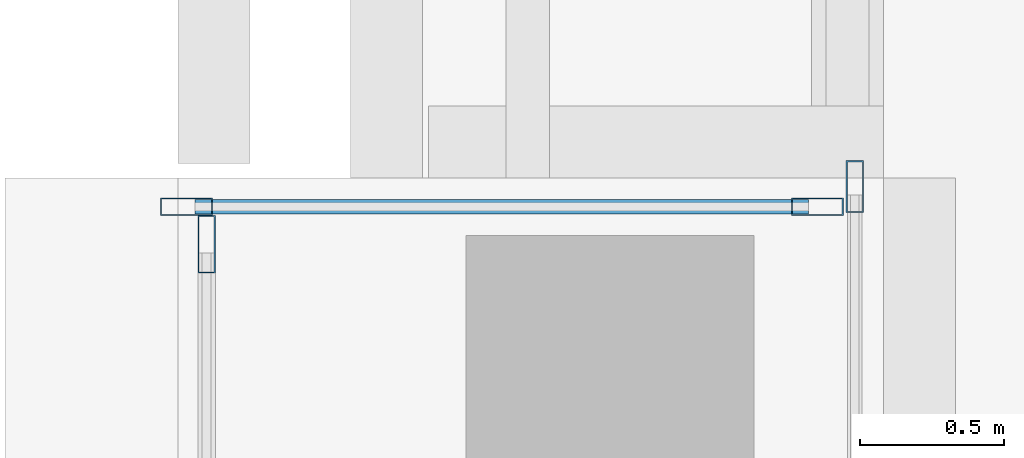
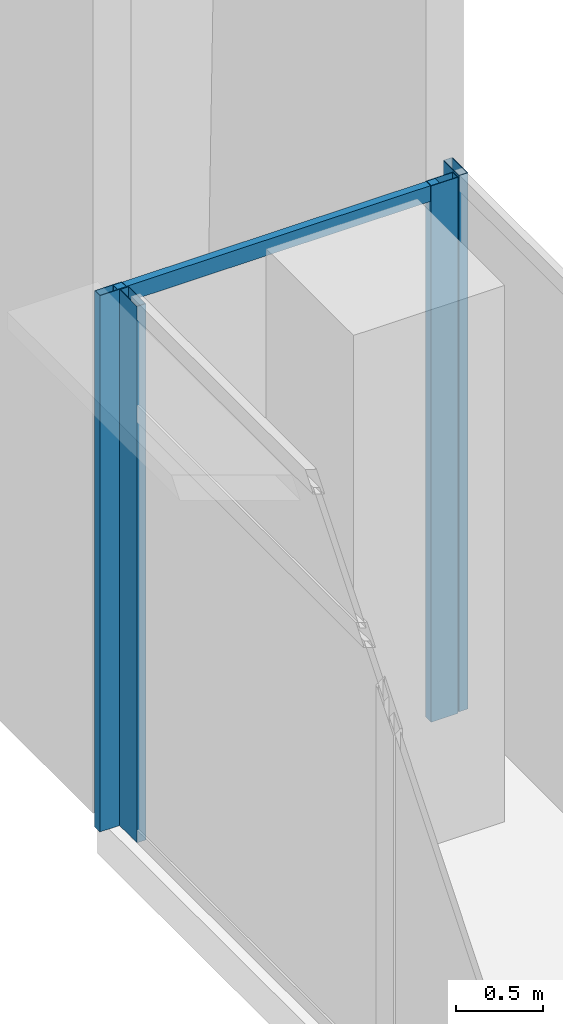
# One storey, part 26 of 43: 5 members, 3 elements without a shape of their own.
"""IFC4 building model written with IfcOpenShell, lengths in metres."""

import ifcopenshell
import ifcopenshell.guid

model = None  # the IFC model being written
_history = None  # IfcOwnerHistory: only IFC2X3 demands one
_inside = {}  # id of a spatial element -> (the spatial element, [elements in it])
_under = {}  # id of a project, library or spatial element -> (it, [spatial elements below it])
_declared = {}  # id of a project -> (the project, [libraries it declares])
_typed = {}  # id of a type object -> (the type object, [elements of that type])
_made_of = {}  # id of a material, layer set ... -> (it, [elements and type objects made of it])


def new_model(schema):
    """Start an empty IFC model of exactly this schema.

    Asked for "IFC4X3", IfcOpenShell would pick the latest addendum, in which some entities
    have other attributes; the version numbers below select the first issue.
    IFC2X3 requires an IfcOwnerHistory on every rooted entity: one is made here for all.
    """
    global model, _history
    if schema == "IFC4X3":
        model = ifcopenshell.file(schema_version=(4, 3, 0, 0))
    else:
        model = ifcopenshell.file(schema=schema)
    _inside.clear()
    _under.clear()
    _declared.clear()
    _typed.clear()
    _made_of.clear()
    _history = None
    if model.schema == "IFC2X3":
        org = make("IfcOrganization", Name="unknown")
        user = make(
            "IfcPersonAndOrganization",
            ThePerson=make("IfcPerson", FamilyName="unknown"),
            TheOrganization=org,
        )
        app = make(
            "IfcApplication",
            ApplicationDeveloper=org,
            Version="unknown",
            ApplicationFullName="unknown",
            ApplicationIdentifier="unknown",
        )
        _history = make(
            "IfcOwnerHistory",
            OwningUser=user,
            OwningApplication=app,
            ChangeAction="ADDED",
            CreationDate=0,
        )
    return model


def make(cls, **values):
    """One entity of the class cls with the attributes given. An attribute that is None is left unset."""
    return model.create_entity(
        cls, **{name: value for name, value in values.items() if value is not None}
    )


def rooted(cls, **values):
    """An entity with a GlobalId (a new one), such as an element, a storey or a relation."""
    return make(cls, GlobalId=ifcopenshell.guid.new(), OwnerHistory=_history, **values)


def si_unit(unit_type, name, prefix=None):
    """IfcSIUnit, for example si_unit("LENGTHUNIT", "METRE", prefix="MILLI")."""
    return make("IfcSIUnit", UnitType=unit_type, Prefix=prefix, Name=name)


def assignment(units):
    """IfcUnitAssignment: the units of a project."""
    return None if units is None else make("IfcUnitAssignment", Units=units)


def point(xyz):
    """IfcCartesianPoint."""
    return None if xyz is None else make("IfcCartesianPoint", Coordinates=xyz)


def direction(xyz):
    """IfcDirection."""
    return None if xyz is None else make("IfcDirection", DirectionRatios=xyz)


def frame(location, z_axis=None, x_axis=None):
    """IfcAxis2Placement3D, a coordinate frame: its origin and axes. An axis left out is left unset."""
    return make(
        "IfcAxis2Placement3D",
        Location=point(location),
        Axis=direction(z_axis),
        RefDirection=direction(x_axis),
    )


def frame_2d(location, x_axis=None):
    """IfcAxis2Placement2D, a coordinate frame in the plane: its origin and x axis."""
    return make(
        "IfcAxis2Placement2D", Location=point(location), RefDirection=direction(x_axis)
    )


def origin():
    """The frame at (0, 0, 0) with its axes left unset."""
    return frame((0.0, 0.0, 0.0))


def origin_2d():
    """The frame at (0, 0) in the plane with its x axis left unset."""
    return frame_2d((0.0, 0.0))


def place(relative_to, where):
    """IfcLocalPlacement: puts the frame where relative to a parent placement (None: the world)."""
    return make(
        "IfcLocalPlacement", PlacementRelTo=relative_to, RelativePlacement=where
    )


def context(
    kind, dimensions, precision=None, world=None, true_north=None, identifier=None
):
    """IfcGeometricRepresentationContext, for example the 3D "Model" context."""
    return make(
        "IfcGeometricRepresentationContext",
        ContextIdentifier=identifier,
        ContextType=kind,
        CoordinateSpaceDimension=dimensions,
        Precision=precision,
        WorldCoordinateSystem=world,
        TrueNorth=true_north,
    )


def subcontext(parent, identifier, kind, view, scale=None):
    """IfcGeometricRepresentationSubContext, for example "Body" below "Model"."""
    return make(
        "IfcGeometricRepresentationSubContext",
        ContextIdentifier=identifier,
        ContextType=kind,
        ParentContext=parent,
        TargetScale=scale,
        TargetView=view,
    )


def project(units=None, contexts=None):
    """IfcProject with its units and contexts."""
    return rooted(
        "IfcProject",
        Name="project",
        RepresentationContexts=contexts,
        UnitsInContext=assignment(units),
    )


def spatial(cls, under=None, at=None, **own):
    """A site, building, storey or space (cls), placed at a placement, below another one or the project."""
    s = rooted(cls, ObjectPlacement=at, **own)
    if under is not None:
        _under.setdefault(under.id(), (under, []))[1].append(s)
    return s


def profile(cls, at=None, kind="AREA", **sizes):
    """A parametric profile (cls). Its sizes go by their IFC names, for example OverallWidth=200.0."""
    return make(cls, ProfileType=kind, Position=at, **sizes)


def hollow_rectangle(**sizes):
    """IfcRectangleHollowProfileDef."""
    return profile("IfcRectangleHollowProfileDef", **sizes)


def extrude(swept, where, along, depth):
    """IfcExtrudedAreaSolid: the profile swept, set in the frame where, extruded along a direction by depth."""
    return make(
        "IfcExtrudedAreaSolid",
        SweptArea=swept,
        Position=where,
        ExtrudedDirection=direction(along),
        Depth=depth,
    )


def shape(context_of_items, identifier, shape_type, items):
    """IfcShapeRepresentation: the items that make up one representation, for example the "Body"."""
    return make(
        "IfcShapeRepresentation",
        ContextOfItems=context_of_items,
        RepresentationIdentifier=identifier,
        RepresentationType=shape_type,
        Items=items,
    )


def source(mapping_origin, context_of_items, identifier, shape_type, items):
    """IfcRepresentationMap: a shape defined once, which mapped items show again and again."""
    return make(
        "IfcRepresentationMap",
        MappingOrigin=mapping_origin,
        MappedRepresentation=shape(context_of_items, identifier, shape_type, items),
    )


def transform(
    local_origin,
    x_axis=None,
    y_axis=None,
    z_axis=None,
    scale=None,
    scale2=None,
    scale3=None,
    uniform=True,
):
    """IfcCartesianTransformationOperator3D, or its non-uniform kind. x_axis, y_axis, z_axis: its Axis1, 2, 3."""
    if uniform:
        return make(
            "IfcCartesianTransformationOperator3D",
            Axis1=direction(x_axis),
            Axis2=direction(y_axis),
            LocalOrigin=point(local_origin),
            Scale=scale,
            Axis3=direction(z_axis),
        )
    return make(
        "IfcCartesianTransformationOperator3DnonUniform",
        Axis1=direction(x_axis),
        Axis2=direction(y_axis),
        LocalOrigin=point(local_origin),
        Scale=scale,
        Axis3=direction(z_axis),
        Scale2=scale2,
        Scale3=scale3,
    )


def mapped(mapping_source, mapping_target):
    """IfcMappedItem: shows the shape of a source again, moved by a transform."""
    return make(
        "IfcMappedItem", MappingSource=mapping_source, MappingTarget=mapping_target
    )


def material(Name=None, Category=None):
    """IfcMaterial."""
    return make("IfcMaterial", Name=Name, Category=Category)


def material_profile(
    of_material, cross_section, Name=None, Category=None, Priority=None
):
    """IfcMaterialProfile: a cross section and its material."""
    return make(
        "IfcMaterialProfile",
        Name=Name,
        Material=of_material,
        Profile=cross_section,
        Priority=Priority,
        Category=Category,
    )


def profile_set(profiles, Name=None, composite=None):
    """IfcMaterialProfileSet."""
    return make(
        "IfcMaterialProfileSet",
        Name=Name,
        MaterialProfiles=profiles,
        CompositeProfile=composite,
    )


def made_of(thing, what):
    """Note that an element or type object is made of a material, layer set ...; save() writes the relation."""
    if what is not None:
        _made_of.setdefault(what.id(), (what, []))[1].append(thing)
    return thing


def type_object(cls, material=None, **own):
    """A type object (cls), such as IfcWallType, which elements share."""
    return made_of(rooted(cls, **own), material)


def element(
    cls,
    number,
    at=None,
    inside=None,
    cuts=None,
    type_object=None,
    material=None,
    context=None,
    identifier="Body",
    shape_type=None,
    held_by="IfcProductDefinitionShape",
    body=None,
    shapes=None,
    **own,
):
    """One element of the class cls, such as IfcWall. Its Tag is "e" and its number.

    at: its placement. inside: the storey or other place that contains it. cuts: it is an
    opening in that element (IfcRelVoidsElement). A single representation is given by context,
    identifier, shape_type and body (its items); several are given by shapes. held_by: the class
    of the entity that holds the representations. save() writes the other relations.
    """
    e = rooted(cls, Tag="e%d" % number, ObjectPlacement=at, **own)
    if body is not None:
        shapes = [shape(context, identifier, shape_type, body)]
    if shapes is not None:
        e.Representation = make(held_by, Representations=shapes)
    if inside is not None:
        _inside.setdefault(inside.id(), (inside, []))[1].append(e)
    if cuts is not None:
        rooted(
            "IfcRelVoidsElement", RelatingBuildingElement=cuts, RelatedOpeningElement=e
        )
    if type_object is not None:
        _typed.setdefault(type_object.id(), (type_object, []))[1].append(e)
    return made_of(e, material)


def aggregate(whole, parts):
    """IfcRelAggregates: a whole, such as a stair, and the parts it consists of."""
    return rooted("IfcRelAggregates", RelatingObject=whole, RelatedObjects=parts)


def save(model, path):
    """Write the relations noted so far, then the file.

    IfcRelAggregates (storeys below a building ...), IfcRelContainedInSpatialStructure (elements
    in a storey), IfcRelDefinesByType, IfcRelAssociatesMaterial and IfcRelDeclares: one each for
    every whole, place, type object, material and project.
    """
    for whole, parts in _under.values():
        aggregate(whole, parts)
    for where, things in _inside.values():
        rooted(
            "IfcRelContainedInSpatialStructure",
            RelatedElements=things,
            RelatingStructure=where,
        )
    for kind, things in _typed.values():
        rooted("IfcRelDefinesByType", RelatedObjects=things, RelatingType=kind)
    for what, things in _made_of.values():
        rooted("IfcRelAssociatesMaterial", RelatedObjects=things, RelatingMaterial=what)
    for by, libraries in _declared.values():
        rooted("IfcRelDeclares", RelatingContext=by, RelatedDefinitions=libraries)
    model.write(path)


model = new_model("IFC4")

# Units and contexts
model_context = context("Model", 3, precision=1e-05, world=origin(), true_north=direction((0.0, 1.0)))
body_context = subcontext(model_context, "Body", "Model", "MODEL_VIEW")
ifc_project = project(units=[si_unit("LENGTHUNIT", "METRE"), si_unit("AREAUNIT", "SQUARE_METRE"), si_unit("VOLUMEUNIT", "CUBIC_METRE"), si_unit("PLANEANGLEUNIT", "RADIAN"), si_unit("MASSUNIT", "GRAM", prefix="KILO")], contexts=[model_context])

# Site, building, storey
site_placement = place(None, origin())
site = spatial("IfcSite", under=ifc_project, at=site_placement, CompositionType="ELEMENT")
building_placement = place(site_placement, origin())
building = spatial("IfcBuilding", under=site, at=building_placement, Name="Khomas Fold Tower", CompositionType="ELEMENT")
storey_placement = place(building_placement, frame((0.0, 0.0, 164.699951171875)))
storey = spatial("IfcBuildingStorey", under=building, at=storey_placement, Name="L35", CompositionType="ELEMENT", Elevation=164.699951171875)

# Curtain wall, member
ifc_material_1 = material(Name="Aluminium framed double glazing", Category="aluminium")
curtain_wall_type_1 = type_object("IfcCurtainWallType", Name="SK-Unitised clear-glass wall, office floors CW2", PredefinedType="NOTDEFINED", material=ifc_material_1)
curtain_wall_1_placement = place(storey_placement, origin())
curtain_wall_1 = element("IfcCurtainWall", 1, at=curtain_wall_1_placement, inside=storey, type_object=curtain_wall_type_1, Name="CW2 corner return L35 10", PredefinedType="NOTDEFINED")
ifc_material_2 = material(Name="Aluminium", Category="aluminium")
ifc_material_profile_1 = material_profile(ifc_material_2, hollow_rectangle(XDim=0.06005859375, YDim=0.179931640625, WallThickness=0.00390625, at=origin_2d()), Name="SK-Unitised clear-glass wall, office floors mullion CW2-M")
ifc_profile_set_1 = profile_set([ifc_material_profile_1], Name="Aluminium")
member_type_1 = type_object("IfcMemberType", Name="SK-Unitised clear-glass wall, office floors mullion CW2-M", PredefinedType="MULLION", material=ifc_profile_set_1)
shared_shape_1 = source(origin(), body_context, "Body", "SweptSolid", [
    extrude(hollow_rectangle(XDim=0.06005859375, YDim=0.179931640625, WallThickness=0.00390625, at=origin_2d()), origin(), (0.0, 0.0, 1.0), 3.75),
])
member_1_placement = place(storey_placement, frame((46.39990234375, 50.969970703125, 0.0), z_axis=(0.0, 0.0, 1.0), x_axis=(-1.0, 0.0, 0.0)))
member_1 = element("IfcMember", 2, at=member_1_placement, type_object=member_type_1, Name="CW2 mullion 2", PredefinedType="MULLION", context=body_context, shape_type="MappedRepresentation", body=[
    mapped(shared_shape_1, transform((0.0, 0.0, 0.0))),
])
aggregate(curtain_wall_1, [member_1])

# Curtain wall, members
curtain_wall_2_placement = place(storey_placement, origin())
curtain_wall_2 = element("IfcCurtainWall", 3, at=curtain_wall_2_placement, inside=storey, type_object=curtain_wall_type_1, Name="CW2 corner return L35 11", PredefinedType="NOTDEFINED")
member_2_placement = place(storey_placement, frame((46.27001953125, 50.89990234375, 0.0), z_axis=(0.0, 0.0, 1.0), x_axis=(0.0, -1.0, 0.0)))
member_2 = element("IfcMember", 4, at=member_2_placement, type_object=member_type_1, Name="CW2 mullion 1", PredefinedType="MULLION", context=body_context, shape_type="MappedRepresentation", body=[
    mapped(shared_shape_1, transform((0.0, 0.0, 0.0))),
])
member_3_placement = place(storey_placement, frame((44.080078125, 50.89990234375, 0.0), z_axis=(0.0, 0.0, 1.0), x_axis=(0.0, -1.0, 0.0)))
member_3 = element("IfcMember", 5, at=member_3_placement, type_object=member_type_1, Name="CW2 mullion 2", PredefinedType="MULLION", context=body_context, shape_type="MappedRepresentation", body=[
    mapped(shared_shape_1, transform((0.0, 0.0, 0.0))),
])
ifc_material_3 = material(Name="Aluminium", Category="aluminium")
ifc_material_profile_2 = material_profile(ifc_material_3, hollow_rectangle(XDim=0.050048828125, YDim=0.110107421875, WallThickness=0.00390625, at=origin_2d()), Name="SK-Unitised clear-glass wall, office floors transom CW2-T")
ifc_profile_set_2 = profile_set([ifc_material_profile_2], Name="Aluminium")
member_type_2 = type_object("IfcMemberType", Name="SK-Unitised clear-glass wall, office floors transom CW2-T", PredefinedType="USERDEFINED", material=ifc_profile_set_2)
shared_shape_2 = source(origin(), body_context, "Body", "SweptSolid", [
    extrude(hollow_rectangle(XDim=0.050048828125, YDim=0.110107421875, WallThickness=0.00390625, at=origin_2d()), origin(), (0.0, 0.0, 1.0), 2.1298828125),
])
member_4_placement = place(storey_placement, frame((46.239990234375, 50.89990234375, 3.695068359375), z_axis=(-1.0, 0.0, 0.0), x_axis=(0.0, -1.0, 0.0)))
member_4 = element("IfcMember", 6, at=member_4_placement, type_object=member_type_2, Name="CW2 transom 1", ObjectType="TRANSOM", PredefinedType="USERDEFINED", context=body_context, shape_type="MappedRepresentation", body=[
    mapped(shared_shape_2, transform((0.0, 0.0, 0.0))),
])
aggregate(curtain_wall_2, [member_2, member_3, member_4])

# Curtain wall, member
ifc_material_4 = material(Name="Aluminium framed double glazing", Category="aluminium")
curtain_wall_type_2 = type_object("IfcCurtainWallType", Name="Notch glazing GN-CW", PredefinedType="NOTDEFINED", material=ifc_material_4)
curtain_wall_3_placement = place(storey_placement, origin())
curtain_wall_3 = element("IfcCurtainWall", 7, at=curtain_wall_3_placement, inside=storey, type_object=curtain_wall_type_2, Name="Notch glazing run", PredefinedType="NOTDEFINED")
ifc_material_5 = material(Name="Aluminium", Category="aluminium")
ifc_material_profile_3 = material_profile(ifc_material_5, hollow_rectangle(XDim=0.06005859375, YDim=0.199951171875, WallThickness=0.00390625, at=origin_2d()), Name="Notch glazing mullion GN-CW-M")
ifc_profile_set_3 = profile_set([ifc_material_profile_3], Name="Aluminium")
member_type_3 = type_object("IfcMemberType", Name="Notch glazing mullion GN-CW-M", PredefinedType="MULLION", material=ifc_profile_set_3)
shared_shape_3 = source(origin(), body_context, "Body", "SweptSolid", [
    extrude(hollow_rectangle(XDim=0.06005859375, YDim=0.199951171875, WallThickness=0.00390625, at=origin_2d()), origin(), (0.0, 0.0, 1.0), 3.75),
])
member_5_placement = place(storey_placement, frame((44.14990234375, 50.77001953125, 0.0), z_axis=(0.0, 0.0, 1.0), x_axis=(1.0, 0.0, 0.0)))
member_5 = element("IfcMember", 8, at=member_5_placement, type_object=member_type_3, Name="GN-CW mullion 1", PredefinedType="MULLION", context=body_context, shape_type="MappedRepresentation", body=[
    mapped(shared_shape_3, transform((0.0, 0.0, 0.0))),
])
aggregate(curtain_wall_3, [member_5])

save(model, "model.ifc")
